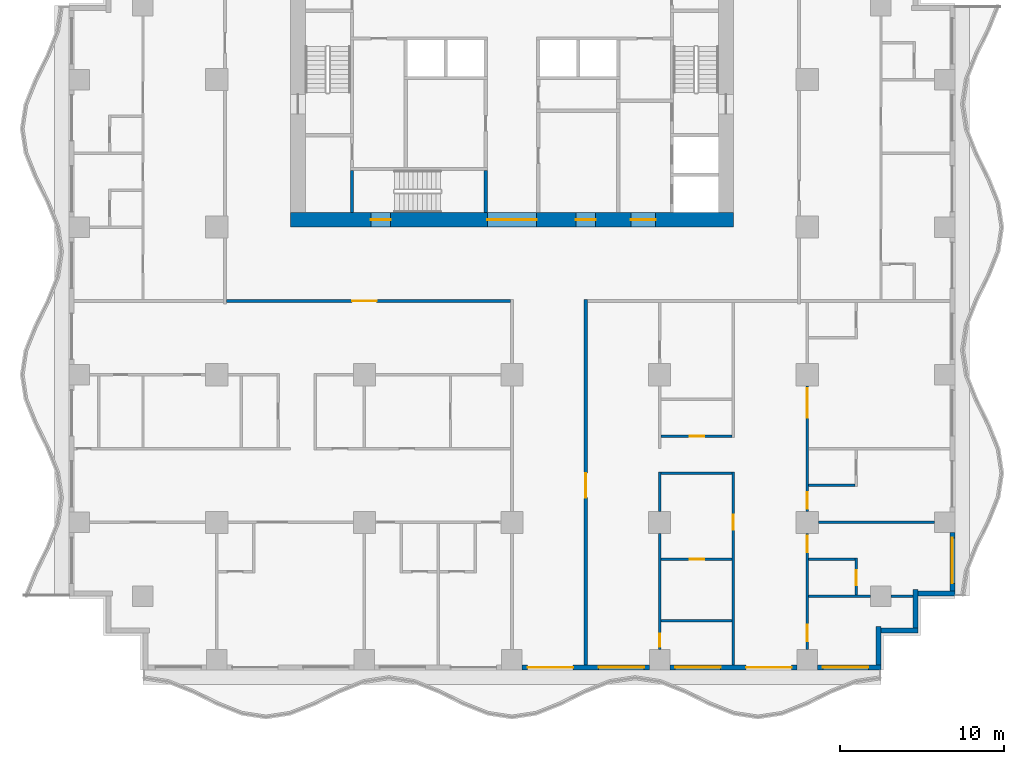
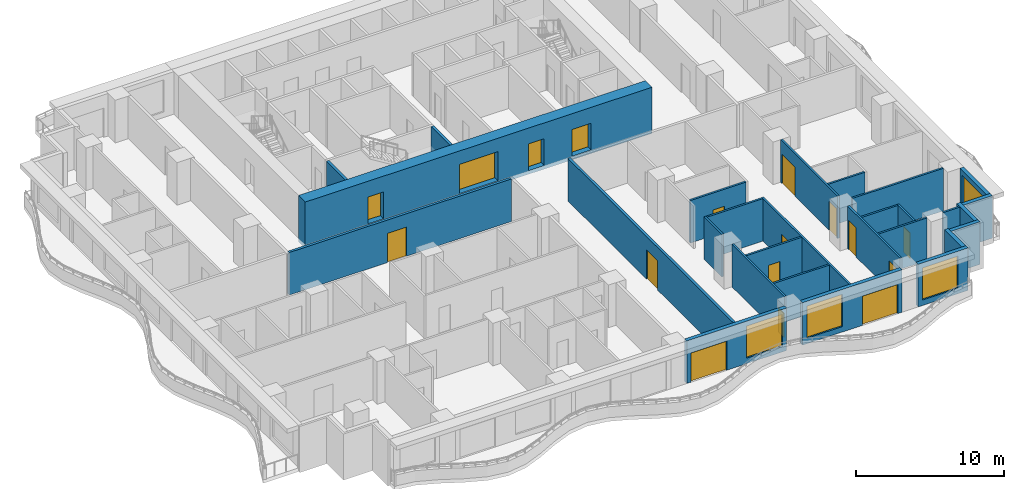
# One storey, part 3 of 13: 28 walls, 17 doors, 4 windows, 21 openings.
"""IFC4 building model written with IfcOpenShell, lengths in metres."""

from ifc_helpers import new_model, si_unit, direction, frame, frame_2d, origin, place, context, subcontext, project, spatial, rectangle, extrude, material, layer, layer_set, type_object, element, fill, save


model = new_model("IFC4")

# Units and contexts
model_context = context("Model", 3, precision=1e-05, world=origin(), true_north=direction((0.0, 1.0)))
body_context = subcontext(model_context, "Body", "Model", "MODEL_VIEW")
ifc_project = project(units=[si_unit("LENGTHUNIT", "METRE"), si_unit("AREAUNIT", "SQUARE_METRE"), si_unit("VOLUMEUNIT", "CUBIC_METRE"), si_unit("PLANEANGLEUNIT", "RADIAN"), si_unit("MASSUNIT", "GRAM", prefix="KILO")], contexts=[model_context])

# Site, building, storey
site_placement = place(None, origin())
site = spatial("IfcSite", under=ifc_project, at=site_placement, CompositionType="ELEMENT")
building_placement = place(site_placement, origin())
building = spatial("IfcBuilding", under=site, at=building_placement, Name="Orbiselva Terraces", CompositionType="ELEMENT")
storey_placement = place(building_placement, frame((0.0, 0.0, 99.8)))
storey = spatial("IfcBuildingStorey", under=building, at=storey_placement, Name="L25", CompositionType="ELEMENT", Elevation=99.8)

# Wall, openings, doors
ifc_material_1 = material(Name="Concrete C80/95", Category="concrete")
ifc_layer_1 = layer(ifc_material_1, 0.9)
ifc_layer_set_1 = layer_set([ifc_layer_1], Name="Concrete C80/95")
wall_type_1 = type_object("IfcWallType", Name="CORE WALL 900", PredefinedType="SHEAR", material=ifc_layer_set_1)
wall_1_placement = place(storey_placement, frame((-13.5, 4.95, -0.3), z_axis=(0.0, 0.0, 1.0), x_axis=(1.0, 0.0, 0.0)))
wall_1 = element("IfcWall", 1, at=wall_1_placement, inside=storey, type_object=wall_type_1, Name="Core wall L25 south", PredefinedType="SHEAR", context=body_context, shape_type="SweptSolid", body=[
    extrude(rectangle(XDim=27.0, YDim=0.9, at=frame_2d((13.5, 0.0))), origin(), (0.0, 0.0, 1.0), 3.8),
])
opening_1_placement = place(wall_1_placement, frame((12.0, 0.0, 0.3)))
opening_1 = element("IfcOpeningElement", 2, at=opening_1_placement, cuts=wall_1, Name="Opening DL3000", PredefinedType="OPENING", context=body_context, shape_type="SweptSolid", body=[
    extrude(rectangle(XDim=3.0, YDim=2.4, at=frame_2d((1.5, 1.2))), frame((0.0, 0.46, 0.0), z_axis=(0.0, -1.0, 0.0), x_axis=(1.0, 0.0, 0.0)), (0.0, 0.0, 1.0), 0.92),
])
opening_2_placement = place(wall_1_placement, frame((4.9, 0.0, 0.3)))
opening_2 = element("IfcOpeningElement", 3, at=opening_2_placement, cuts=wall_1, Name="Opening DS1200", PredefinedType="OPENING", context=body_context, shape_type="SweptSolid", body=[
    extrude(rectangle(XDim=1.2, YDim=2.2, at=frame_2d((0.6, 1.1))), frame((0.0, 0.46, 0.0), z_axis=(0.0, -1.0, 0.0), x_axis=(1.0, 0.0, 0.0)), (0.0, 0.0, 1.0), 0.92),
])
opening_3_placement = place(wall_1_placement, frame((20.75, 0.0, 0.3)))
opening_3 = element("IfcOpeningElement", 4, at=opening_3_placement, cuts=wall_1, Name="Opening DF1500", PredefinedType="OPENING", context=body_context, shape_type="SweptSolid", body=[
    extrude(rectangle(XDim=1.5, YDim=2.2, at=frame_2d((0.75, 1.1))), frame((0.0, 0.46, 0.0), z_axis=(0.0, -1.0, 0.0), x_axis=(1.0, 0.0, 0.0)), (0.0, 0.0, 1.0), 0.92),
])
opening_4_placement = place(wall_1_placement, frame((17.4, 0.0, 0.3)))
opening_4 = element("IfcOpeningElement", 5, at=opening_4_placement, cuts=wall_1, Name="Opening DV1200", PredefinedType="OPENING", context=body_context, shape_type="SweptSolid", body=[
    extrude(rectangle(XDim=1.2, YDim=2.2, at=frame_2d((0.6, 1.1))), frame((0.0, 0.46, 0.0), z_axis=(0.0, -1.0, 0.0), x_axis=(1.0, 0.0, 0.0)), (0.0, 0.0, 1.0), 0.92),
])
ifc_material_2 = material(Name="Steel fire door", Category="steel")
door_type_1 = type_object("IfcDoorType", Name="FFL DOOR 1500", OperationType="DOUBLE_DOOR_SINGLE_SWING", PredefinedType="DOOR", material=ifc_material_2)
door_1_placement = place(opening_3_placement, frame((1.5, 0.0, 0.0), z_axis=(0.0, 0.0, 1.0), x_axis=(-1.0, 0.0, 0.0)))
door_1 = element("IfcDoor", 6, at=door_1_placement, inside=storey, type_object=door_type_1, Name="L25 FIRE-FIGHTING LOBBY door", OperationType="DOUBLE_DOOR_SINGLE_SWING", OverallHeight=2.2, OverallWidth=1.5, PredefinedType="DOOR", context=body_context, shape_type="SweptSolid", body=[
    extrude(rectangle(XDim=1.5, YDim=2.2, at=frame_2d((0.75, 1.1))), frame((0.0, 0.025, 0.0), z_axis=(0.0, -1.0, 0.0), x_axis=(1.0, 0.0, 0.0)), (0.0, 0.0, 1.0), 0.05),
])
fill(opening_3, door_1)
door_type_2 = type_object("IfcDoorType", Name="LOBBY DOOR 3000", OperationType="DOUBLE_DOOR_SINGLE_SWING", PredefinedType="DOOR", material=ifc_material_2)
door_2_placement = place(opening_1_placement, frame((3.0, 0.0, 0.0), z_axis=(0.0, 0.0, 1.0), x_axis=(-1.0, 0.0, 0.0)))
door_2 = element("IfcDoor", 7, at=door_2_placement, inside=storey, type_object=door_type_2, Name="L25 LIFT LOBBY door", OperationType="DOUBLE_DOOR_SINGLE_SWING", OverallHeight=2.4, OverallWidth=3.0, PredefinedType="DOOR", context=body_context, shape_type="SweptSolid", body=[
    extrude(rectangle(XDim=3.0, YDim=2.4, at=frame_2d((1.5, 1.2))), frame((0.0, 0.025, 0.0), z_axis=(0.0, -1.0, 0.0), x_axis=(1.0, 0.0, 0.0)), (0.0, 0.0, 1.0), 0.05),
])
fill(opening_1, door_2)
door_type_3 = type_object("IfcDoorType", Name="SERVICE DOOR 1200", OperationType="NOTDEFINED", PredefinedType="DOOR", material=ifc_material_2)
door_3_placement = place(opening_4_placement, frame((1.2, 0.0, 0.0), z_axis=(0.0, 0.0, 1.0), x_axis=(-1.0, 0.0, 0.0)))
door_3 = element("IfcDoor", 8, at=door_3_placement, inside=storey, type_object=door_type_3, Name="L25 SERVICE ROOM door", OperationType="SINGLE_SWING_RIGHT", OverallHeight=2.2, OverallWidth=1.2, PredefinedType="DOOR", context=body_context, shape_type="SweptSolid", body=[
    extrude(rectangle(XDim=1.2, YDim=2.2, at=frame_2d((0.6, 1.1))), frame((0.0, 0.025, 0.0), z_axis=(0.0, -1.0, 0.0), x_axis=(1.0, 0.0, 0.0)), (0.0, 0.0, 1.0), 0.05),
])
fill(opening_4, door_3)
door_type_4 = type_object("IfcDoorType", Name="STAIR DOOR 1200", OperationType="NOTDEFINED", PredefinedType="DOOR", material=ifc_material_2)
door_4_placement = place(opening_2_placement, frame((1.2, 0.0, 0.0), z_axis=(0.0, 0.0, 1.0), x_axis=(-1.0, 0.0, 0.0)))
door_4 = element("IfcDoor", 9, at=door_4_placement, inside=storey, type_object=door_type_4, Name="L25 EXIT STAIR S3 door", OperationType="SINGLE_SWING_LEFT", OverallHeight=2.2, OverallWidth=1.2, PredefinedType="DOOR", context=body_context, shape_type="SweptSolid", body=[
    extrude(rectangle(XDim=1.2, YDim=2.2, at=frame_2d((0.6, 1.1))), frame((0.0, 0.025, 0.0), z_axis=(0.0, -1.0, 0.0), x_axis=(1.0, 0.0, 0.0)), (0.0, 0.0, 1.0), 0.05),
])
fill(opening_2, door_4)

# Walls
ifc_material_3 = material(Name="Concrete C60/75", Category="concrete")
ifc_layer_2 = layer(ifc_material_3, 0.2)
ifc_layer_set_2 = layer_set([ifc_layer_2], Name="Concrete C60/75")
wall_type_2 = type_object("IfcWallType", Name="CORE-WALL-SHEAR-200", PredefinedType="SHEAR", material=ifc_layer_set_2)
for number, where, z_axis, x_axis, name in (
    (10, (-9.75, 5.4, 0.0), (0.0, 0.0, 1.0), (0.0, 1.0, 0.0), "L25 core wall 03"),
    (11, (-1.6, 5.4, 0.0), (0.0, 0.0, 1.0), (0.0, 1.0, 0.0), "L25 core wall 19"),
):
    element("IfcWall", number, at=place(storey_placement, frame(where, z_axis=z_axis, x_axis=x_axis)), inside=storey, type_object=wall_type_2, Name=name, PredefinedType="SHEAR", context=body_context, shape_type="SweptSolid", body=[
        extrude(rectangle(XDim=2.55, YDim=0.2, at=frame_2d((1.275, 0.0))), origin(), (0.0, 0.0, 1.0), 3.5),
    ])

# Wall, openings, door, window
ifc_material_4 = material(Name="Terracotta cladding on masonry backing", Category="masonry")
ifc_layer_3 = layer(ifc_material_4, 0.3)
ifc_layer_set_3 = layer_set([ifc_layer_3], Name="Terracotta cladding on masonry backing")
wall_type_3 = type_object("IfcWallType", Name="ENV-WALL-TERRACOTTA-300", PredefinedType="SOLIDWALL", material=ifc_layer_set_3)
wall_2_placement = place(storey_placement, frame((8.375, -22.35, 0.0), z_axis=(0.0, 0.0, 1.0), x_axis=(-1.0, 0.0, 0.0)))
wall_2 = element("IfcWall", 12, at=wall_2_placement, inside=storey, type_object=wall_type_3, Name="Facade wall L25 S", PredefinedType="SOLIDWALL", context=body_context, shape_type="SweptSolid", body=[
    extrude(rectangle(XDim=7.75, YDim=0.3, at=frame_2d((3.875, 0.0))), origin(), (0.0, 0.0, 1.0), 3.5),
])
opening_5_placement = place(wall_2_placement, frame((4.65, 0.0, 0.0)))
opening_5 = element("IfcOpeningElement", 13, at=opening_5_placement, cuts=wall_2, Name="Opening Z2-C-E02", PredefinedType="OPENING", context=body_context, shape_type="SweptSolid", body=[
    extrude(rectangle(XDim=2.775, YDim=2.4, at=frame_2d((1.3875, 1.2))), frame((0.0, 0.16, 0.0), z_axis=(0.0, -1.0, 0.0), x_axis=(1.0, 0.0, 0.0)), (0.0, 0.0, 1.0), 0.32),
])
opening_6_placement = place(wall_2_placement, frame((0.325, 0.0, 0.45)))
opening_6 = element("IfcOpeningElement", 14, at=opening_6_placement, cuts=wall_2, Name="Opening WN6", PredefinedType="OPENING", context=body_context, shape_type="SweptSolid", body=[
    extrude(rectangle(XDim=2.775, YDim=2.65, at=frame_2d((1.3875, 1.325))), frame((0.0, 0.16, 0.0), z_axis=(0.0, -1.0, 0.0), x_axis=(1.0, 0.0, 0.0)), (0.0, 0.0, 1.0), 0.32),
])
ifc_material_5 = material(Name="Clear low-e glazing in aluminium frame", Category="aluminium")
door_type_5 = type_object("IfcDoorType", Name="BALCONY DOOR 2775 X 2400", OperationType="DOUBLE_DOOR_SLIDING", PredefinedType="DOOR", material=ifc_material_5)
door_5_placement = place(opening_5_placement, origin())
door_5 = element("IfcDoor", 15, at=door_5_placement, inside=storey, type_object=door_type_5, Name="Z2-C-E02", OperationType="SINGLE_SWING_LEFT", OverallHeight=2.4, OverallWidth=2.775, PredefinedType="DOOR", context=body_context, shape_type="SweptSolid", body=[
    extrude(rectangle(XDim=2.775, YDim=2.4, at=frame_2d((1.3875, 1.2))), frame((0.0, 0.025, 0.0), z_axis=(0.0, -1.0, 0.0), x_axis=(1.0, 0.0, 0.0)), (0.0, 0.0, 1.0), 0.05),
])
fill(opening_5, door_5)
window_type = type_object("IfcWindowType", Name="WINDOW 2775 X 2650 S450", PartitioningType="TRIPLE_PANEL_VERTICAL", PredefinedType="WINDOW", material=ifc_material_5)
window_1_placement = place(opening_6_placement, origin())
window_1 = element("IfcWindow", 16, at=window_1_placement, inside=storey, type_object=window_type, Name="Window L25 S", OverallHeight=2.65, OverallWidth=2.775, PartitioningType="SINGLE_PANEL", PredefinedType="WINDOW", context=body_context, shape_type="SweptSolid", body=[
    extrude(rectangle(XDim=2.775, YDim=2.65, at=frame_2d((1.3875, 1.325))), frame((0.0, 0.03, 0.0), z_axis=(0.0, -1.0, 0.0), x_axis=(1.0, 0.0, 0.0)), (0.0, 0.0, 1.0), 0.06),
])
fill(opening_6, window_1)

wall_3_placement = place(storey_placement, frame((17.375, -22.35, 0.0), z_axis=(0.0, 0.0, 1.0), x_axis=(-1.0, 0.0, 0.0)))
wall_3 = element("IfcWall", 17, at=wall_3_placement, inside=storey, type_object=wall_type_3, Name="Facade wall L25 S", PredefinedType="SOLIDWALL", context=body_context, shape_type="SweptSolid", body=[
    extrude(rectangle(XDim=7.75, YDim=0.3, at=frame_2d((3.875, 0.0))), origin(), (0.0, 0.0, 1.0), 3.5),
])
opening_7_placement = place(wall_3_placement, frame((4.65, 0.0, 0.45)))
opening_7 = element("IfcOpeningElement", 18, at=opening_7_placement, cuts=wall_3, Name="Opening WN6", PredefinedType="OPENING", context=body_context, shape_type="SweptSolid", body=[
    extrude(rectangle(XDim=2.775, YDim=2.65, at=frame_2d((1.3875, 1.325))), frame((0.0, 0.16, 0.0), z_axis=(0.0, -1.0, 0.0), x_axis=(1.0, 0.0, 0.0)), (0.0, 0.0, 1.0), 0.32),
])
opening_8_placement = place(wall_3_placement, frame((0.325, 0.0, 0.0)))
opening_8 = element("IfcOpeningElement", 19, at=opening_8_placement, cuts=wall_3, Name="Opening Z2-C-E11", PredefinedType="OPENING", context=body_context, shape_type="SweptSolid", body=[
    extrude(rectangle(XDim=2.775, YDim=2.4, at=frame_2d((1.3875, 1.2))), frame((0.0, 0.16, 0.0), z_axis=(0.0, -1.0, 0.0), x_axis=(1.0, 0.0, 0.0)), (0.0, 0.0, 1.0), 0.32),
])
door_6_placement = place(opening_8_placement, origin())
door_6 = element("IfcDoor", 20, at=door_6_placement, inside=storey, type_object=door_type_5, Name="Z2-C-E11", OperationType="SINGLE_SWING_LEFT", OverallHeight=2.4, OverallWidth=2.775, PredefinedType="DOOR", context=body_context, shape_type="SweptSolid", body=[
    extrude(rectangle(XDim=2.775, YDim=2.4, at=frame_2d((1.3875, 1.2))), frame((0.0, 0.025, 0.0), z_axis=(0.0, -1.0, 0.0), x_axis=(1.0, 0.0, 0.0)), (0.0, 0.0, 1.0), 0.05),
])
fill(opening_8, door_6)
window_2_placement = place(opening_7_placement, origin())
window_2 = element("IfcWindow", 21, at=window_2_placement, inside=storey, type_object=window_type, Name="Window L25 S", OverallHeight=2.65, OverallWidth=2.775, PartitioningType="SINGLE_PANEL", PredefinedType="WINDOW", context=body_context, shape_type="SweptSolid", body=[
    extrude(rectangle(XDim=2.775, YDim=2.65, at=frame_2d((1.3875, 1.325))), frame((0.0, 0.03, 0.0), z_axis=(0.0, -1.0, 0.0), x_axis=(1.0, 0.0, 0.0)), (0.0, 0.0, 1.0), 0.06),
])
fill(opening_7, window_2)

# Wall, opening, window
wall_4_placement = place(storey_placement, frame((22.5, -22.35, 0.0), z_axis=(0.0, 0.0, 1.0), x_axis=(-1.0, 0.0, 0.0)))
wall_4 = element("IfcWall", 22, at=wall_4_placement, inside=storey, type_object=wall_type_3, Name="Facade wall L25 S", PredefinedType="SOLIDWALL", context=body_context, shape_type="SweptSolid", body=[
    extrude(rectangle(XDim=3.875, YDim=0.3, at=frame_2d((1.9375, 0.0))), origin(), (0.0, 0.0, 1.0), 3.5),
])
opening_9_placement = place(wall_4_placement, frame((0.775, 0.0, 0.45)))
opening_9 = element("IfcOpeningElement", 23, at=opening_9_placement, cuts=wall_4, Name="Opening WN6", PredefinedType="OPENING", context=body_context, shape_type="SweptSolid", body=[
    extrude(rectangle(XDim=2.775, YDim=2.65, at=frame_2d((1.3875, 1.325))), frame((0.0, 0.16, 0.0), z_axis=(0.0, -1.0, 0.0), x_axis=(1.0, 0.0, 0.0)), (0.0, 0.0, 1.0), 0.32),
])
window_3_placement = place(opening_9_placement, origin())
window_3 = element("IfcWindow", 24, at=window_3_placement, inside=storey, type_object=window_type, Name="Window L25 S", OverallHeight=2.65, OverallWidth=2.775, PartitioningType="SINGLE_PANEL", PredefinedType="WINDOW", context=body_context, shape_type="SweptSolid", body=[
    extrude(rectangle(XDim=2.775, YDim=2.65, at=frame_2d((1.3875, 1.325))), frame((0.0, 0.03, 0.0), z_axis=(0.0, -1.0, 0.0), x_axis=(1.0, 0.0, 0.0)), (0.0, 0.0, 1.0), 0.06),
])
fill(opening_9, window_3)

# Walls
wall_5_placement = place(storey_placement, frame((22.35, -19.85, 0.0), z_axis=(0.0, 0.0, 1.0), x_axis=(0.0, -1.0, 0.0)))
element("IfcWall", 25, at=wall_5_placement, inside=storey, type_object=wall_type_3, Name="Facade wall L25 STEP", PredefinedType="SOLIDWALL", context=body_context, shape_type="SweptSolid", body=[
    extrude(rectangle(XDim=2.35, YDim=0.3, at=frame_2d((1.175, 0.0))), origin(), (0.0, 0.0, 1.0), 3.5),
])
wall_6_placement = place(storey_placement, frame((24.75, -20.1, 0.0), z_axis=(0.0, 0.0, 1.0), x_axis=(-1.0, 0.0, 0.0)))
element("IfcWall", 26, at=wall_6_placement, inside=storey, type_object=wall_type_3, Name="Facade wall L25 STEP", PredefinedType="SOLIDWALL", context=body_context, shape_type="SweptSolid", body=[
    extrude(rectangle(XDim=2.25, YDim=0.3, at=frame_2d((1.125, 0.0))), origin(), (0.0, 0.0, 1.0), 3.5),
])
wall_7_placement = place(storey_placement, frame((24.6, -17.6, 0.0), z_axis=(0.0, 0.0, 1.0), x_axis=(0.0, -1.0, 0.0)))
element("IfcWall", 27, at=wall_7_placement, inside=storey, type_object=wall_type_3, Name="Facade wall L25 STEP", PredefinedType="SOLIDWALL", context=body_context, shape_type="SweptSolid", body=[
    extrude(rectangle(XDim=2.35, YDim=0.3, at=frame_2d((1.175, 0.0))), origin(), (0.0, 0.0, 1.0), 3.5),
])
wall_8_placement = place(storey_placement, frame((27.0, -17.85, 0.0), z_axis=(0.0, 0.0, 1.0), x_axis=(-1.0, 0.0, 0.0)))
element("IfcWall", 28, at=wall_8_placement, inside=storey, type_object=wall_type_3, Name="Facade wall L25 STEP", PredefinedType="SOLIDWALL", context=body_context, shape_type="SweptSolid", body=[
    extrude(rectangle(XDim=2.25, YDim=0.3, at=frame_2d((1.125, 0.0))), origin(), (0.0, 0.0, 1.0), 3.5),
])

# Wall, opening, window
wall_9_placement = place(storey_placement, frame((26.85, -14.125, 0.0), z_axis=(0.0, 0.0, 1.0), x_axis=(0.0, -1.0, 0.0)))
wall_9 = element("IfcWall", 29, at=wall_9_placement, inside=storey, type_object=wall_type_3, Name="Facade wall L25 E", PredefinedType="SOLIDWALL", context=body_context, shape_type="SweptSolid", body=[
    extrude(rectangle(XDim=3.575, YDim=0.3, at=frame_2d((1.7875, 0.0))), origin(), (0.0, 0.0, 1.0), 3.5),
])
opening_10_placement = place(wall_9_placement, frame((0.325, 0.0, 0.45)))
opening_10 = element("IfcOpeningElement", 30, at=opening_10_placement, cuts=wall_9, Name="Opening WN6", PredefinedType="OPENING", context=body_context, shape_type="SweptSolid", body=[
    extrude(rectangle(XDim=2.775, YDim=2.65, at=frame_2d((1.3875, 1.325))), frame((0.0, 0.16, 0.0), z_axis=(0.0, -1.0, 0.0), x_axis=(1.0, 0.0, 0.0)), (0.0, 0.0, 1.0), 0.32),
])
window_4_placement = place(opening_10_placement, origin())
window_4 = element("IfcWindow", 31, at=window_4_placement, inside=storey, type_object=window_type, Name="Window L25 E", OverallHeight=2.65, OverallWidth=2.775, PartitioningType="SINGLE_PANEL", PredefinedType="WINDOW", context=body_context, shape_type="SweptSolid", body=[
    extrude(rectangle(XDim=2.775, YDim=2.65, at=frame_2d((1.3875, 1.325))), frame((0.0, 0.03, 0.0), z_axis=(0.0, -1.0, 0.0), x_axis=(1.0, 0.0, 0.0)), (0.0, 0.0, 1.0), 0.06),
])
fill(opening_10, window_4)

# Wall, opening, door
ifc_material_6 = material(Name="Plasterboard on steel stud partition", Category="steel")
ifc_layer_4 = layer(ifc_material_6, 0.2)
ifc_layer_set_4 = layer_set([ifc_layer_4], Name="Plasterboard on steel stud partition")
wall_type_4 = type_object("IfcWallType", Name="UNIT-ENTRANCE-WALL-200", PredefinedType="PARTITIONING", material=ifc_layer_set_4)
wall_10_placement = place(storey_placement, frame((-0.1, 0.0, 0.0), z_axis=(0.0, 0.0, 1.0), x_axis=(-1.0, 0.0, 0.0)))
wall_10 = element("IfcWall", 32, at=wall_10_placement, inside=storey, type_object=wall_type_4, Name="PARTITION L25-025", PredefinedType="PARTITIONING", context=body_context, shape_type="SweptSolid", body=[
    extrude(rectangle(XDim=17.3, YDim=0.2, at=frame_2d((8.65, 0.0))), origin(), (0.0, 0.0, 1.0), 3.5),
])
opening_11_placement = place(wall_10_placement, frame((8.15, 0.0, 0.0)))
opening_11 = element("IfcOpeningElement", 33, at=opening_11_placement, cuts=wall_10, Name="Opening Z2-C-13", PredefinedType="OPENING", context=body_context, shape_type="SweptSolid", body=[
    extrude(rectangle(XDim=1.5, YDim=2.4, at=frame_2d((0.75, 1.2))), frame((0.0, 0.11, 0.0), z_axis=(0.0, -1.0, 0.0), x_axis=(1.0, 0.0, 0.0)), (0.0, 0.0, 1.0), 0.22),
])
ifc_material_7 = material(Name="Painted timber door leaf", Category="wood")
door_type_6 = type_object("IfcDoorType", Name="ENTRANCE DOUBLE DOOR 1500", OperationType="NOTDEFINED", PredefinedType="DOOR", material=ifc_material_7)
door_7_placement = place(opening_11_placement, origin())
door_7 = element("IfcDoor", 34, at=door_7_placement, inside=storey, type_object=door_type_6, Name="Z2-C-13", OperationType="DOUBLE_DOOR_SINGLE_SWING", OverallHeight=2.4, OverallWidth=1.5, PredefinedType="DOOR", context=body_context, shape_type="SweptSolid", body=[
    extrude(rectangle(XDim=1.5, YDim=2.4, at=frame_2d((0.75, 1.2))), frame((0.0, 0.025, 0.0), z_axis=(0.0, -1.0, 0.0), x_axis=(1.0, 0.0, 0.0)), (0.0, 0.0, 1.0), 0.05),
])
fill(opening_11, door_7)

wall_11_placement = place(storey_placement, frame((4.5, 0.1, 0.0), z_axis=(0.0, 0.0, 1.0), x_axis=(0.0, -1.0, 0.0)))
wall_11 = element("IfcWall", 35, at=wall_11_placement, inside=storey, type_object=wall_type_4, Name="PARTITION L25-060", PredefinedType="PARTITIONING", context=body_context, shape_type="SweptSolid", body=[
    extrude(rectangle(XDim=22.3, YDim=0.2, at=frame_2d((11.15, 0.0))), origin(), (0.0, 0.0, 1.0), 3.5),
])
opening_12_placement = place(wall_11_placement, frame((10.6, 0.0, 0.0)))
opening_12 = element("IfcOpeningElement", 36, at=opening_12_placement, cuts=wall_11, Name="Opening Z2-C-28", PredefinedType="OPENING", context=body_context, shape_type="SweptSolid", body=[
    extrude(rectangle(XDim=1.5, YDim=2.4, at=frame_2d((0.75, 1.2))), frame((0.0, 0.11, 0.0), z_axis=(0.0, -1.0, 0.0), x_axis=(1.0, 0.0, 0.0)), (0.0, 0.0, 1.0), 0.22),
])
door_8_placement = place(opening_12_placement, origin())
door_8 = element("IfcDoor", 37, at=door_8_placement, inside=storey, type_object=door_type_6, Name="Z2-C-28", OperationType="DOUBLE_DOOR_SINGLE_SWING", OverallHeight=2.4, OverallWidth=1.5, PredefinedType="DOOR", context=body_context, shape_type="SweptSolid", body=[
    extrude(rectangle(XDim=1.5, YDim=2.4, at=frame_2d((0.75, 1.2))), frame((0.0, 0.025, 0.0), z_axis=(0.0, -1.0, 0.0), x_axis=(1.0, 0.0, 0.0)), (0.0, 0.0, 1.0), 0.05),
])
fill(opening_12, door_8)

# Walls
ifc_layer_5 = layer(ifc_material_6, 0.15)
ifc_layer_set_5 = layer_set([ifc_layer_5], Name="Plasterboard on steel stud partition")
wall_type_5 = type_object("IfcWallType", Name="UNIT-PARTITION-150", PredefinedType="PARTITIONING", material=ifc_layer_set_5)
wall_12_placement = place(storey_placement, frame((9.075, -19.5, 0.0), z_axis=(0.0, 0.0, 1.0), x_axis=(1.0, 0.0, 0.0)))
element("IfcWall", 38, at=wall_12_placement, inside=storey, type_object=wall_type_5, Name="PARTITION L25-001", PredefinedType="PARTITIONING", context=body_context, shape_type="SweptSolid", body=[
    extrude(rectangle(XDim=4.35, YDim=0.15, at=frame_2d((2.175, 0.0))), origin(), (0.0, 0.0, 1.0), 3.5),
])
wall_13_placement = place(storey_placement, frame((18.075, -18.0, 0.0), z_axis=(0.0, 0.0, 1.0), x_axis=(1.0, 0.0, 0.0)))
element("IfcWall", 39, at=wall_13_placement, inside=storey, type_object=wall_type_5, Name="PARTITION L25-002", PredefinedType="PARTITIONING", context=body_context, shape_type="SweptSolid", body=[
    extrude(rectangle(XDim=3.8, YDim=0.15, at=frame_2d((1.9, 0.0))), origin(), (0.0, 0.0, 1.0), 3.5),
])
wall_14_placement = place(storey_placement, frame((23.125, -18.0, 0.0), z_axis=(0.0, 0.0, 1.0), x_axis=(1.0, 0.0, 0.0)))
element("IfcWall", 40, at=wall_14_placement, inside=storey, type_object=wall_type_5, Name="PARTITION L25-003", PredefinedType="PARTITIONING", context=body_context, shape_type="SweptSolid", body=[
    extrude(rectangle(XDim=1.325, YDim=0.15, at=frame_2d((0.6625, 0.0))), origin(), (0.0, 0.0, 1.0), 3.5),
])

# Wall, opening, door
wall_15_placement = place(storey_placement, frame((13.425, -15.75, 0.0), z_axis=(0.0, 0.0, 1.0), x_axis=(-1.0, 0.0, 0.0)))
wall_15 = element("IfcWall", 41, at=wall_15_placement, inside=storey, type_object=wall_type_5, Name="PARTITION L25-007", PredefinedType="PARTITIONING", context=body_context, shape_type="SweptSolid", body=[
    extrude(rectangle(XDim=4.35, YDim=0.15, at=frame_2d((2.175, 0.0))), origin(), (0.0, 0.0, 1.0), 3.5),
])
opening_13_placement = place(wall_15_placement, frame((1.7, 0.0, 0.0)))
opening_13 = element("IfcOpeningElement", 42, at=opening_13_placement, cuts=wall_15, Name="Opening Z2-C-32", PredefinedType="OPENING", context=body_context, shape_type="SweptSolid", body=[
    extrude(rectangle(XDim=0.9, YDim=2.1, at=frame_2d((0.45, 1.05))), frame((0.0, 0.085, 0.0), z_axis=(0.0, -1.0, 0.0), x_axis=(1.0, 0.0, 0.0)), (0.0, 0.0, 1.0), 0.17),
])
door_type_7 = type_object("IfcDoorType", Name="BATH DOOR 900", OperationType="NOTDEFINED", PredefinedType="DOOR", material=ifc_material_7)
door_9_placement = place(opening_13_placement, origin())
door_9 = element("IfcDoor", 43, at=door_9_placement, inside=storey, type_object=door_type_7, Name="Z2-C-32", OperationType="SINGLE_SWING_LEFT", OverallHeight=2.1, OverallWidth=0.9, PredefinedType="DOOR", context=body_context, shape_type="SweptSolid", body=[
    extrude(rectangle(XDim=0.9, YDim=2.1, at=frame_2d((0.45, 1.05))), frame((0.0, 0.025, 0.0), z_axis=(0.0, -1.0, 0.0), x_axis=(1.0, 0.0, 0.0)), (0.0, 0.0, 1.0), 0.05),
])
fill(opening_13, door_9)

# Walls
wall_16_placement = place(storey_placement, frame((18.075, -15.75, 0.0), z_axis=(0.0, 0.0, 1.0), x_axis=(1.0, 0.0, 0.0)))
element("IfcWall", 44, at=wall_16_placement, inside=storey, type_object=wall_type_5, Name="PARTITION L25-008", PredefinedType="PARTITIONING", context=body_context, shape_type="SweptSolid", body=[
    extrude(rectangle(XDim=2.85, YDim=0.15, at=frame_2d((1.425, 0.0))), origin(), (0.0, 0.0, 1.0), 3.5),
])
wall_17_placement = place(storey_placement, frame((18.675, -13.5, 0.0), z_axis=(0.0, 0.0, 1.0), x_axis=(1.0, 0.0, 0.0)))
element("IfcWall", 45, at=wall_17_placement, inside=storey, type_object=wall_type_5, Name="PARTITION L25-012", PredefinedType="PARTITIONING", context=body_context, shape_type="SweptSolid", body=[
    extrude(rectangle(XDim=7.075, YDim=0.15, at=frame_2d((3.5375, 0.0))), origin(), (0.0, 0.0, 1.0), 3.5),
])
wall_18_placement = place(storey_placement, frame((18.075, -11.25, 0.0), z_axis=(0.0, 0.0, 1.0), x_axis=(1.0, 0.0, 0.0)))
element("IfcWall", 46, at=wall_18_placement, inside=storey, type_object=wall_type_5, Name="PARTITION L25-013", PredefinedType="PARTITIONING", context=body_context, shape_type="SweptSolid", body=[
    extrude(rectangle(XDim=2.85, YDim=0.15, at=frame_2d((1.425, 0.0))), origin(), (0.0, 0.0, 1.0), 3.5),
])
wall_19_placement = place(storey_placement, frame((9.075, -10.5, 0.0), z_axis=(0.0, 0.0, 1.0), x_axis=(1.0, 0.0, 0.0)))
element("IfcWall", 47, at=wall_19_placement, inside=storey, type_object=wall_type_5, Name="PARTITION L25-014", PredefinedType="PARTITIONING", context=body_context, shape_type="SweptSolid", body=[
    extrude(rectangle(XDim=4.35, YDim=0.15, at=frame_2d((2.175, 0.0))), origin(), (0.0, 0.0, 1.0), 3.5),
])

# Wall, opening, door
wall_20_placement = place(storey_placement, frame((9.075, -8.25, 0.0), z_axis=(0.0, 0.0, 1.0), x_axis=(1.0, 0.0, 0.0)))
wall_20 = element("IfcWall", 48, at=wall_20_placement, inside=storey, type_object=wall_type_5, Name="PARTITION L25-018", PredefinedType="PARTITIONING", context=body_context, shape_type="SweptSolid", body=[
    extrude(rectangle(XDim=4.35, YDim=0.15, at=frame_2d((2.175, 0.0))), origin(), (0.0, 0.0, 1.0), 3.5),
])
opening_14_placement = place(wall_20_placement, frame((1.75, 0.0, 0.0)))
opening_14 = element("IfcOpeningElement", 49, at=opening_14_placement, cuts=wall_20, Name="Opening Z2-C-30", PredefinedType="OPENING", context=body_context, shape_type="SweptSolid", body=[
    extrude(rectangle(XDim=0.9, YDim=2.1, at=frame_2d((0.45, 1.05))), frame((0.0, 0.085, 0.0), z_axis=(0.0, -1.0, 0.0), x_axis=(1.0, 0.0, 0.0)), (0.0, 0.0, 1.0), 0.17),
])
door_10_placement = place(opening_14_placement, origin())
door_10 = element("IfcDoor", 50, at=door_10_placement, inside=storey, type_object=door_type_7, Name="Z2-C-30", OperationType="SINGLE_SWING_RIGHT", OverallHeight=2.1, OverallWidth=0.9, PredefinedType="DOOR", context=body_context, shape_type="SweptSolid", body=[
    extrude(rectangle(XDim=0.9, YDim=2.1, at=frame_2d((0.45, 1.05))), frame((0.0, 0.025, 0.0), z_axis=(0.0, -1.0, 0.0), x_axis=(1.0, 0.0, 0.0)), (0.0, 0.0, 1.0), 0.05),
])
fill(opening_14, door_10)

wall_21_placement = place(storey_placement, frame((9.0, -14.175, 0.0), z_axis=(0.0, 0.0, 1.0), x_axis=(0.0, -1.0, 0.0)))
wall_21 = element("IfcWall", 51, at=wall_21_placement, inside=storey, type_object=wall_type_5, Name="PARTITION L25-061", PredefinedType="PARTITIONING", context=body_context, shape_type="SweptSolid", body=[
    extrude(rectangle(XDim=7.075, YDim=0.15, at=frame_2d((3.5375, 0.0))), origin(), (0.0, 0.0, 1.0), 3.5),
])
opening_15_placement = place(wall_21_placement, frame((6.125, 0.0, 0.0)))
opening_15 = element("IfcOpeningElement", 52, at=opening_15_placement, cuts=wall_21, Name="Opening Z2-C-33", PredefinedType="OPENING", context=body_context, shape_type="SweptSolid", body=[
    extrude(rectangle(XDim=0.8, YDim=2.0, at=frame_2d((0.4, 1.0))), frame((0.0, 0.085, 0.0), z_axis=(0.0, -1.0, 0.0), x_axis=(1.0, 0.0, 0.0)), (0.0, 0.0, 1.0), 0.17),
])
door_type_8 = type_object("IfcDoorType", Name="STORE DOOR 800", OperationType="NOTDEFINED", PredefinedType="DOOR", material=ifc_material_7)
door_11_placement = place(opening_15_placement, origin())
door_11 = element("IfcDoor", 53, at=door_11_placement, inside=storey, type_object=door_type_8, Name="Z2-C-33", OperationType="SINGLE_SWING_RIGHT", OverallHeight=2.0, OverallWidth=0.8, PredefinedType="DOOR", context=body_context, shape_type="SweptSolid", body=[
    extrude(rectangle(XDim=0.8, YDim=2.0, at=frame_2d((0.4, 1.0))), frame((0.0, 0.025, 0.0), z_axis=(0.0, -1.0, 0.0), x_axis=(1.0, 0.0, 0.0)), (0.0, 0.0, 1.0), 0.05),
])
fill(opening_15, door_11)

# Wall
wall_22_placement = place(storey_placement, frame((9.0, -12.825, 0.0), z_axis=(0.0, 0.0, 1.0), x_axis=(0.0, 1.0, 0.0)))
element("IfcWall", 54, at=wall_22_placement, inside=storey, type_object=wall_type_5, Name="PARTITION L25-062", PredefinedType="PARTITIONING", context=body_context, shape_type="SweptSolid", body=[
    extrude(rectangle(XDim=2.4, YDim=0.15, at=frame_2d((1.2, 0.0))), origin(), (0.0, 0.0, 1.0), 3.5),
])

# Wall, opening, door
wall_23_placement = place(storey_placement, frame((13.5, -22.2, 0.0), z_axis=(0.0, 0.0, 1.0), x_axis=(0.0, 1.0, 0.0)))
wall_23 = element("IfcWall", 55, at=wall_23_placement, inside=storey, type_object=wall_type_5, Name="PARTITION L25-065", PredefinedType="PARTITIONING", context=body_context, shape_type="SweptSolid", body=[
    extrude(rectangle(XDim=11.775, YDim=0.15, at=frame_2d((5.8875, 0.0))), origin(), (0.0, 0.0, 1.0), 3.5),
])
opening_16_placement = place(wall_23_placement, frame((8.25, 0.0, 0.0)))
opening_16 = element("IfcOpeningElement", 56, at=opening_16_placement, cuts=wall_23, Name="Opening Z2-C-31", PredefinedType="OPENING", context=body_context, shape_type="SweptSolid", body=[
    extrude(rectangle(XDim=0.9, YDim=2.1, at=frame_2d((0.45, 1.05))), frame((0.0, 0.085, 0.0), z_axis=(0.0, -1.0, 0.0), x_axis=(1.0, 0.0, 0.0)), (0.0, 0.0, 1.0), 0.17),
])
door_type_9 = type_object("IfcDoorType", Name="SERVICE DOOR 900", OperationType="NOTDEFINED", PredefinedType="DOOR", material=ifc_material_7)
door_12_placement = place(opening_16_placement, origin())
door_12 = element("IfcDoor", 57, at=door_12_placement, inside=storey, type_object=door_type_9, Name="Z2-C-31", OperationType="SINGLE_SWING_RIGHT", OverallHeight=2.1, OverallWidth=0.9, PredefinedType="DOOR", context=body_context, shape_type="SweptSolid", body=[
    extrude(rectangle(XDim=0.9, YDim=2.1, at=frame_2d((0.45, 1.05))), frame((0.0, 0.025, 0.0), z_axis=(0.0, -1.0, 0.0), x_axis=(1.0, 0.0, 0.0)), (0.0, 0.0, 1.0), 0.05),
])
fill(opening_16, door_12)

# Wall, openings, doors
wall_24_placement = place(storey_placement, frame((18.0, -14.175, 0.0), z_axis=(0.0, 0.0, 1.0), x_axis=(0.0, -1.0, 0.0)))
wall_24 = element("IfcWall", 58, at=wall_24_placement, inside=storey, type_object=wall_type_5, Name="PARTITION L25-070", PredefinedType="PARTITIONING", context=body_context, shape_type="SweptSolid", body=[
    extrude(rectangle(XDim=7.075, YDim=0.15, at=frame_2d((3.5375, 0.0))), origin(), (0.0, 0.0, 1.0), 3.5),
])
opening_17_placement = place(wall_24_placement, frame((0.15, 0.0, 0.0)))
opening_17 = element("IfcOpeningElement", 59, at=opening_17_placement, cuts=wall_24, Name="Opening Z2-C-38", PredefinedType="OPENING", context=body_context, shape_type="SweptSolid", body=[
    extrude(rectangle(XDim=1.0, YDim=2.4, at=frame_2d((0.5, 1.2))), frame((0.0, 0.085, 0.0), z_axis=(0.0, -1.0, 0.0), x_axis=(1.0, 0.0, 0.0)), (0.0, 0.0, 1.0), 0.17),
])
opening_18_placement = place(wall_24_placement, frame((5.575, 0.0, 0.0)))
opening_18 = element("IfcOpeningElement", 60, at=opening_18_placement, cuts=wall_24, Name="Opening Z2-C-40", PredefinedType="OPENING", context=body_context, shape_type="SweptSolid", body=[
    extrude(rectangle(XDim=1.0, YDim=2.4, at=frame_2d((0.5, 1.2))), frame((0.0, 0.085, 0.0), z_axis=(0.0, -1.0, 0.0), x_axis=(1.0, 0.0, 0.0)), (0.0, 0.0, 1.0), 0.17),
])
door_type_10 = type_object("IfcDoorType", Name="ROOM DOOR 1000", OperationType="NOTDEFINED", PredefinedType="DOOR", material=ifc_material_7)
door_13_placement = place(opening_17_placement, origin())
door_13 = element("IfcDoor", 61, at=door_13_placement, inside=storey, type_object=door_type_10, Name="Z2-C-38", OperationType="SINGLE_SWING_LEFT", OverallHeight=2.4, OverallWidth=1.0, PredefinedType="DOOR", context=body_context, shape_type="SweptSolid", body=[
    extrude(rectangle(XDim=1.0, YDim=2.4, at=frame_2d((0.5, 1.2))), frame((0.0, 0.025, 0.0), z_axis=(0.0, -1.0, 0.0), x_axis=(1.0, 0.0, 0.0)), (0.0, 0.0, 1.0), 0.05),
])
fill(opening_17, door_13)
door_14_placement = place(opening_18_placement, origin())
door_14 = element("IfcDoor", 62, at=door_14_placement, inside=storey, type_object=door_type_10, Name="Z2-C-40", OperationType="SINGLE_SWING_RIGHT", OverallHeight=2.4, OverallWidth=1.0, PredefinedType="DOOR", context=body_context, shape_type="SweptSolid", body=[
    extrude(rectangle(XDim=1.0, YDim=2.4, at=frame_2d((0.5, 1.2))), frame((0.0, 0.025, 0.0), z_axis=(0.0, -1.0, 0.0), x_axis=(1.0, 0.0, 0.0)), (0.0, 0.0, 1.0), 0.05),
])
fill(opening_18, door_14)

wall_25_placement = place(storey_placement, frame((18.0, -5.175, 0.0), z_axis=(0.0, 0.0, 1.0), x_axis=(0.0, -1.0, 0.0)))
wall_25 = element("IfcWall", 63, at=wall_25_placement, inside=storey, type_object=wall_type_5, Name="PARTITION L25-071", PredefinedType="PARTITIONING", context=body_context, shape_type="SweptSolid", body=[
    extrude(rectangle(XDim=7.65, YDim=0.15, at=frame_2d((3.825, 0.0))), origin(), (0.0, 0.0, 1.0), 3.5),
])
opening_19_placement = place(wall_25_placement, frame((0.15, 0.0, 0.0)))
opening_19 = element("IfcOpeningElement", 64, at=opening_19_placement, cuts=wall_25, Name="Opening Z2-C-34", PredefinedType="OPENING", context=body_context, shape_type="SweptSolid", body=[
    extrude(rectangle(XDim=1.8, YDim=2.4, at=frame_2d((0.9, 1.2))), frame((0.0, 0.085, 0.0), z_axis=(0.0, -1.0, 0.0), x_axis=(1.0, 0.0, 0.0)), (0.0, 0.0, 1.0), 0.17),
])
opening_20_placement = place(wall_25_placement, frame((6.5, 0.0, 0.0)))
opening_20 = element("IfcOpeningElement", 65, at=opening_20_placement, cuts=wall_25, Name="Opening Z2-C-36", PredefinedType="OPENING", context=body_context, shape_type="SweptSolid", body=[
    extrude(rectangle(XDim=1.0, YDim=2.4, at=frame_2d((0.5, 1.2))), frame((0.0, 0.085, 0.0), z_axis=(0.0, -1.0, 0.0), x_axis=(1.0, 0.0, 0.0)), (0.0, 0.0, 1.0), 0.17),
])
door_type_11 = type_object("IfcDoorType", Name="DOUBLE DOOR 1800", OperationType="NOTDEFINED", PredefinedType="DOOR", material=ifc_material_7)
door_15_placement = place(opening_19_placement, origin())
door_15 = element("IfcDoor", 66, at=door_15_placement, inside=storey, type_object=door_type_11, Name="Z2-C-34", OperationType="DOUBLE_DOOR_SINGLE_SWING", OverallHeight=2.4, OverallWidth=1.8, PredefinedType="DOOR", context=body_context, shape_type="SweptSolid", body=[
    extrude(rectangle(XDim=1.8, YDim=2.4, at=frame_2d((0.9, 1.2))), frame((0.0, 0.025, 0.0), z_axis=(0.0, -1.0, 0.0), x_axis=(1.0, 0.0, 0.0)), (0.0, 0.0, 1.0), 0.05),
])
fill(opening_19, door_15)
door_16_placement = place(opening_20_placement, origin())
door_16 = element("IfcDoor", 67, at=door_16_placement, inside=storey, type_object=door_type_10, Name="Z2-C-36", OperationType="SINGLE_SWING_RIGHT", OverallHeight=2.4, OverallWidth=1.0, PredefinedType="DOOR", context=body_context, shape_type="SweptSolid", body=[
    extrude(rectangle(XDim=1.0, YDim=2.4, at=frame_2d((0.5, 1.2))), frame((0.0, 0.025, 0.0), z_axis=(0.0, -1.0, 0.0), x_axis=(1.0, 0.0, 0.0)), (0.0, 0.0, 1.0), 0.05),
])
fill(opening_20, door_16)

# Wall, opening, door
wall_26_placement = place(storey_placement, frame((21.0, -17.925, 0.0), z_axis=(0.0, 0.0, 1.0), x_axis=(0.0, 1.0, 0.0)))
wall_26 = element("IfcWall", 68, at=wall_26_placement, inside=storey, type_object=wall_type_5, Name="PARTITION L25-073", PredefinedType="PARTITIONING", context=body_context, shape_type="SweptSolid", body=[
    extrude(rectangle(XDim=2.25, YDim=0.15, at=frame_2d((1.125, 0.0))), origin(), (0.0, 0.0, 1.0), 3.5),
])
opening_21_placement = place(wall_26_placement, frame((0.6, 0.0, 0.0)))
opening_21 = element("IfcOpeningElement", 69, at=opening_21_placement, cuts=wall_26, Name="Opening Z2-C-39", PredefinedType="OPENING", context=body_context, shape_type="SweptSolid", body=[
    extrude(rectangle(XDim=0.9, YDim=2.1, at=frame_2d((0.45, 1.05))), frame((0.0, 0.085, 0.0), z_axis=(0.0, -1.0, 0.0), x_axis=(1.0, 0.0, 0.0)), (0.0, 0.0, 1.0), 0.17),
])
door_17_placement = place(opening_21_placement, origin())
door_17 = element("IfcDoor", 70, at=door_17_placement, inside=storey, type_object=door_type_7, Name="Z2-C-39", OperationType="SINGLE_SWING_LEFT", OverallHeight=2.1, OverallWidth=0.9, PredefinedType="DOOR", context=body_context, shape_type="SweptSolid", body=[
    extrude(rectangle(XDim=0.9, YDim=2.1, at=frame_2d((0.45, 1.05))), frame((0.0, 0.025, 0.0), z_axis=(0.0, -1.0, 0.0), x_axis=(1.0, 0.0, 0.0)), (0.0, 0.0, 1.0), 0.05),
])
fill(opening_21, door_17)

save(model, "model.ifc")
